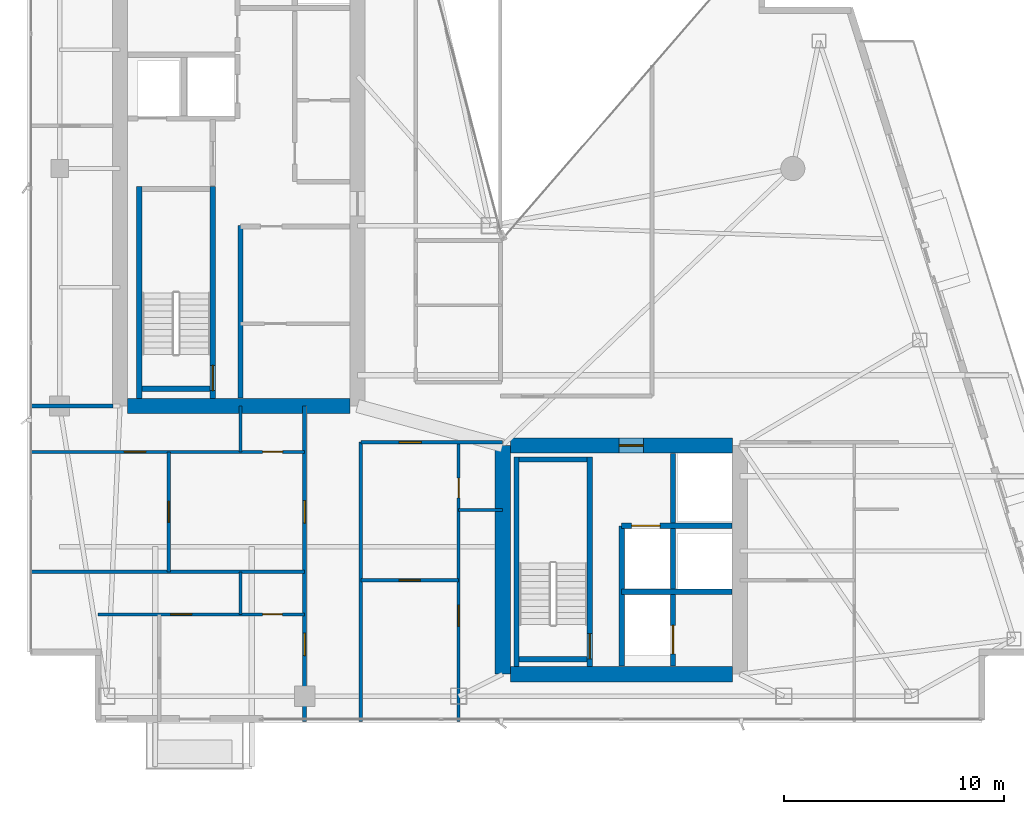
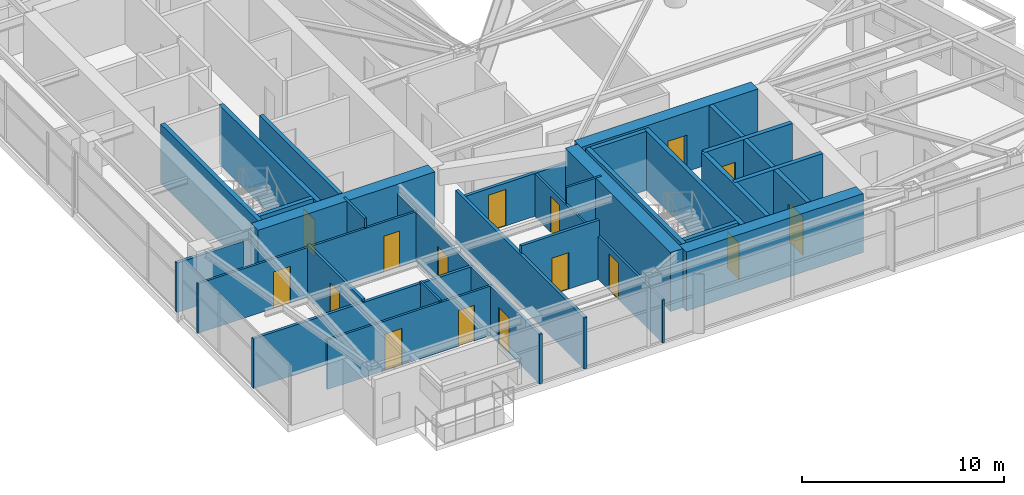
# One storey, part 23 of 28: 29 walls, 16 doors, 16 openings.
"""IFC4 building model written with IfcOpenShell, lengths in metres."""

from ifc_helpers import new_model, si_unit, direction, frame, frame_2d, origin, place, context, subcontext, project, spatial, rectangle, extrude, material, layer, layer_set, type_object, element, fill, save


model = new_model("IFC4")

# Units and contexts
model_context = context("Model", 3, precision=1e-05, world=origin(), true_north=direction((0.0, 1.0)))
body_context = subcontext(model_context, "Body", "Model", "MODEL_VIEW")
ifc_project = project(units=[si_unit("LENGTHUNIT", "METRE"), si_unit("AREAUNIT", "SQUARE_METRE"), si_unit("VOLUMEUNIT", "CUBIC_METRE"), si_unit("PLANEANGLEUNIT", "RADIAN"), si_unit("MASSUNIT", "GRAM", prefix="KILO")], contexts=[model_context])

# Site, building, storey
site_placement = place(None, origin())
site = spatial("IfcSite", under=ifc_project, at=site_placement, CompositionType="ELEMENT")
building_placement = place(site_placement, origin())
building = spatial("IfcBuilding", under=site, at=building_placement, Name="Calvorn Quay Hotel", CompositionType="ELEMENT")
storey_placement = place(building_placement, frame((0.0, 0.0, 243.800048828125)))
storey = spatial("IfcBuildingStorey", under=building, at=storey_placement, Name="L60", CompositionType="ELEMENT", Elevation=243.800048828125)

# Walls
ifc_material_1 = material(Name="Concrete C45", Category="concrete")
ifc_layer_1 = layer(ifc_material_1, 0.699951171875)
ifc_layer_set_1 = layer_set([ifc_layer_1], Name="WL-CORE-700")
wall_type_1 = type_object("IfcWallType", Name="WL-CORE-700", PredefinedType="SHEAR", material=ifc_layer_set_1)
wall_1_placement = place(storey_placement, frame((4.550048828125, 16.800048828125, 0.0), z_axis=(0.0, 0.0, 1.0), x_axis=(1.0, 0.0, 0.0)))
element("IfcWall", 1, at=wall_1_placement, inside=storey, type_object=wall_type_1, Name="West Core Shear Wall S (L60)", PredefinedType="SHEAR", context=body_context, shape_type="SweptSolid", body=[
    extrude(rectangle(XDim=10.099853515625, YDim=0.699951171875, at=frame_2d((5.0498046875, 0.0))), origin(), (0.0, 0.0, 1.0), 3.56005859375),
])
wall_2_placement = place(storey_placement, frame((21.60009765625, 4.60009765625, 0.0), z_axis=(0.0, 0.0, 1.0), x_axis=(0.0, 1.0, 0.0)))
element("IfcWall", 2, at=wall_2_placement, inside=storey, type_object=wall_type_1, Name="East Core Shear Wall W (L60)", PredefinedType="SHEAR", context=body_context, shape_type="SweptSolid", body=[
    extrude(rectangle(XDim=10.39990234375, YDim=0.699951171875, at=frame_2d((5.199951171875, 0.0))), origin(), (0.0, 0.0, 1.0), 3.56005859375),
])

# Wall, opening, door
wall_3_placement = place(storey_placement, frame((21.949951171875, 15.0, 0.0), z_axis=(0.0, 0.0, 1.0), x_axis=(1.0, 0.0, 0.0)))
wall_3 = element("IfcWall", 3, at=wall_3_placement, inside=storey, type_object=wall_type_1, Name="East Core Shear Wall N (L60)", PredefinedType="SHEAR", context=body_context, shape_type="SweptSolid", body=[
    extrude(rectangle(XDim=10.10009765625, YDim=0.699951171875, at=frame_2d((5.050048828125, 0.0))), origin(), (0.0, 0.0, 1.0), 3.56005859375),
])
opening_1_placement = place(wall_3_placement, frame((4.949951171875, 0.0, 0.0)))
opening_1 = element("IfcOpeningElement", 4, at=opening_1_placement, cuts=wall_3, Name="Opening D-L60-FLE", PredefinedType="OPENING", context=body_context, shape_type="SweptSolid", body=[
    extrude(rectangle(XDim=1.10009765625, YDim=2.199951171875, at=frame_2d((0.550048828125, 1.10009765625))), frame((0.0, 0.35986328125, 0.0), z_axis=(0.0, -1.0, 0.0), x_axis=(1.0, 0.0, 0.0)), (0.0, 0.0, 1.0), 0.719970703125),
])
ifc_material_2 = material(Name="Smoke-Sealed Steel Class A Fire Door", Category="steel")
door_type_1 = type_object("IfcDoorType", Name="DR-FFLOBBY-1100", OperationType="NOTDEFINED", PredefinedType="DOOR", material=ifc_material_2)
door_1_placement = place(opening_1_placement, origin())
door_1 = element("IfcDoor", 5, at=door_1_placement, inside=storey, type_object=door_type_1, Name="East Firefighting Lobby Fire Door (L60)", OperationType="SINGLE_SWING_RIGHT", OverallHeight=2.199951171875, OverallWidth=1.10009765625, PredefinedType="DOOR", context=body_context, shape_type="SweptSolid", body=[
    extrude(rectangle(XDim=1.10009765625, YDim=2.199951171875, at=frame_2d((0.550048828125, 1.10009765625))), frame((0.0, 0.02490234375, 0.0), z_axis=(0.0, -1.0, 0.0), x_axis=(1.0, 0.0, 0.0)), (0.0, 0.0, 1.0), 0.050048828125),
])
fill(opening_1, door_1)

# Walls
wall_4_placement = place(storey_placement, frame((21.949951171875, 4.60009765625, 0.0), z_axis=(0.0, 0.0, 1.0), x_axis=(1.0, 0.0, 0.0)))
element("IfcWall", 6, at=wall_4_placement, inside=storey, type_object=wall_type_1, Name="East Core Shear Wall S (L60)", PredefinedType="SHEAR", context=body_context, shape_type="SweptSolid", body=[
    extrude(rectangle(XDim=10.10009765625, YDim=0.699951171875, at=frame_2d((5.050048828125, 0.0))), origin(), (0.0, 0.0, 1.0), 3.56005859375),
])
ifc_material_3 = material(Name="Acoustic Fireboard Steel-Stud Partition", Category="steel")
ifc_layer_2 = layer(ifc_material_3, 0.179931640625)
ifc_layer_set_2 = layer_set([ifc_layer_2], Name="WL-CORR-FIRE-180")
wall_type_2 = type_object("IfcWallType", Name="WL-CORR-FIRE-180", PredefinedType="PARTITIONING", material=ifc_layer_set_2)
wall_5_placement = place(storey_placement, frame((0.080078125, 16.800048828125, 0.0), z_axis=(0.0, 0.0, 1.0), x_axis=(1.0, 0.0, 0.0)))
element("IfcWall", 7, at=wall_5_placement, inside=storey, type_object=wall_type_2, Name="Partition Wall L60-WL-WBAY-S-WALL", PredefinedType="PARTITIONING", context=body_context, shape_type="SweptSolid", body=[
    extrude(rectangle(XDim=3.7998046875, YDim=0.179931640625, at=frame_2d((1.89990234375, 0.0))), origin(), (0.0, 0.0, 1.0), 2.989990234375),
])

# Wall, openings, doors
wall_6_placement = place(storey_placement, frame((12.60009765625, 2.43994140625, 0.0), z_axis=(0.0, 0.0, 1.0), x_axis=(0.0, 1.0, 0.0)))
wall_6 = element("IfcWall", 8, at=wall_6_placement, inside=storey, type_object=wall_type_2, Name="Partition Wall L60-WL-CORR-SW-LEG-W", PredefinedType="PARTITIONING", context=body_context, shape_type="SweptSolid", body=[
    extrude(rectangle(XDim=14.360107421875, YDim=0.179931640625, at=frame_2d((7.18017578125, 0.0))), origin(), (0.0, 0.0, 1.0), 2.989990234375),
])
opening_2_placement = place(wall_6_placement, frame((3.010009765625, 0.0, 0.0)))
opening_2 = element("IfcOpeningElement", 9, at=opening_2_placement, cuts=wall_6, Name="Opening D-L60-U01", PredefinedType="OPENING", context=body_context, shape_type="SweptSolid", body=[
    extrude(rectangle(XDim=1.02001953125, YDim=2.199951171875, at=frame_2d((0.510009765625, 1.10009765625))), frame((0.0, 0.099853515625, 0.0), z_axis=(0.0, -1.0, 0.0), x_axis=(1.0, 0.0, 0.0)), (0.0, 0.0, 1.0), 0.199951171875),
])
opening_3_placement = place(wall_6_placement, frame((9.030029296875, 0.0, 0.0)))
opening_3 = element("IfcOpeningElement", 10, at=opening_3_placement, cuts=wall_6, Name="Opening D-L60-U02", PredefinedType="OPENING", context=body_context, shape_type="SweptSolid", body=[
    extrude(rectangle(XDim=1.02001953125, YDim=2.199951171875, at=frame_2d((0.510009765625, 1.10009765625))), frame((0.0, 0.099853515625, 0.0), z_axis=(0.0, -1.0, 0.0), x_axis=(1.0, 0.0, 0.0)), (0.0, 0.0, 1.0), 0.199951171875),
])
ifc_material_4 = material(Name="Solid-Core Walnut Veneer Hotel Fire Door")
door_type_2 = type_object("IfcDoorType", Name="DR-GUEST-ENTRY-1020", OperationType="NOTDEFINED", PredefinedType="DOOR", material=ifc_material_4)
door_2_placement = place(opening_2_placement, origin())
door_2 = element("IfcDoor", 11, at=door_2_placement, inside=storey, type_object=door_type_2, Name="South-West Unit Door U01 (L60)", OperationType="SINGLE_SWING_LEFT", OverallHeight=2.199951171875, OverallWidth=1.02001953125, PredefinedType="DOOR", context=body_context, shape_type="SweptSolid", body=[
    extrude(rectangle(XDim=1.02001953125, YDim=2.199951171875, at=frame_2d((0.510009765625, 1.10009765625))), frame((0.0, 0.02490234375, 0.0), z_axis=(0.0, -1.0, 0.0), x_axis=(1.0, 0.0, 0.0)), (0.0, 0.0, 1.0), 0.050048828125),
])
fill(opening_2, door_2)
door_3_placement = place(opening_3_placement, origin())
door_3 = element("IfcDoor", 12, at=door_3_placement, inside=storey, type_object=door_type_2, Name="South-West Unit Door U02 (L60)", OperationType="SINGLE_SWING_RIGHT", OverallHeight=2.199951171875, OverallWidth=1.02001953125, PredefinedType="DOOR", context=body_context, shape_type="SweptSolid", body=[
    extrude(rectangle(XDim=1.02001953125, YDim=2.199951171875, at=frame_2d((0.510009765625, 1.10009765625))), frame((0.0, 0.02490234375, 0.0), z_axis=(0.0, -1.0, 0.0), x_axis=(1.0, 0.0, 0.0)), (0.0, 0.0, 1.0), 0.050048828125),
])
fill(opening_3, door_3)

# Wall
wall_7_placement = place(storey_placement, frame((15.14990234375, 2.43994140625, 0.0), z_axis=(0.0, 0.0, 1.0), x_axis=(0.0, 1.0, 0.0)))
element("IfcWall", 13, at=wall_7_placement, inside=storey, type_object=wall_type_2, Name="Partition Wall L60-WL-CORR-SW-W", PredefinedType="PARTITIONING", context=body_context, shape_type="SweptSolid", body=[
    extrude(rectangle(XDim=12.7099609375, YDim=0.179931640625, at=frame_2d((6.35498046875, 0.0))), origin(), (0.0, 0.0, 1.0), 3.08984375),
])

# Wall, opening, door
wall_8_placement = place(storey_placement, frame((15.14990234375, 15.14990234375, 0.0), z_axis=(0.0, 0.0, 1.0), x_axis=(1.0, 0.0, 0.0)))
wall_8 = element("IfcWall", 14, at=wall_8_placement, inside=storey, type_object=wall_type_2, Name="Partition Wall L60-WL-SC-CORR-S", PredefinedType="PARTITIONING", context=body_context, shape_type="SweptSolid", body=[
    extrude(rectangle(XDim=6.4501953125, YDim=0.179931640625, at=frame_2d((3.22509765625, 0.0))), origin(), (0.0, 0.0, 1.0), 2.58984375),
])
opening_4_placement = place(wall_8_placement, frame((1.739990234375, 0.0, 0.0)))
opening_4 = element("IfcOpeningElement", 15, at=opening_4_placement, cuts=wall_8, Name="Opening D-L60-U03", PredefinedType="OPENING", context=body_context, shape_type="SweptSolid", body=[
    extrude(rectangle(XDim=1.02001953125, YDim=2.199951171875, at=frame_2d((0.510009765625, 1.10009765625))), frame((0.0, 0.099853515625, 0.0), z_axis=(0.0, -1.0, 0.0), x_axis=(1.0, 0.0, 0.0)), (0.0, 0.0, 1.0), 0.199951171875),
])
door_4_placement = place(opening_4_placement, origin())
door_4 = element("IfcDoor", 16, at=door_4_placement, inside=storey, type_object=door_type_2, Name="Harbour Central Unit Door (L60)", OperationType="SINGLE_SWING_LEFT", OverallHeight=2.199951171875, OverallWidth=1.02001953125, PredefinedType="DOOR", context=body_context, shape_type="SweptSolid", body=[
    extrude(rectangle(XDim=1.02001953125, YDim=2.199951171875, at=frame_2d((0.510009765625, 1.10009765625))), frame((0.0, 0.02490234375, 0.0), z_axis=(0.0, -1.0, 0.0), x_axis=(1.0, 0.0, 0.0)), (0.0, 0.0, 1.0), 0.050048828125),
])
fill(opening_4, door_4)

# Wall
ifc_material_5 = material(Name="Moisture-Resistant Tile-Backed Partition")
ifc_layer_3 = layer(ifc_material_5, 0.125)
ifc_layer_set_3 = layer_set([ifc_layer_3], Name="WL-ENSUITE-125")
wall_type_3 = type_object("IfcWallType", Name="WL-ENSUITE-125", PredefinedType="PARTITIONING", material=ifc_layer_set_3)
wall_9_placement = place(storey_placement, frame((9.679931640625, 7.320068359375, 0.0), z_axis=(0.0, 0.0, 1.0), x_axis=(0.0, 1.0, 0.0)))
element("IfcWall", 17, at=wall_9_placement, inside=storey, type_object=wall_type_3, Name="Partition Wall L60-WL-U01-BDV", PredefinedType="PARTITIONING", context=body_context, shape_type="SweptSolid", body=[
    extrude(rectangle(XDim=1.929931640625, YDim=0.125, at=frame_2d((0.96484375, 0.0))), origin(), (0.0, 0.0, 1.0), 3.08984375),
])

# Wall, openings, doors
wall_10_placement = place(storey_placement, frame((3.199951171875, 7.320068359375, 0.0), z_axis=(0.0, 0.0, 1.0), x_axis=(1.0, 0.0, 0.0)))
wall_10 = element("IfcWall", 18, at=wall_10_placement, inside=storey, type_object=wall_type_3, Name="Partition Wall L60-WL-U01-BH", PredefinedType="PARTITIONING", context=body_context, shape_type="SweptSolid", body=[
    extrude(rectangle(XDim=9.400146484375, YDim=0.125, at=frame_2d((4.7001953125, 0.0))), origin(), (0.0, 0.0, 1.0), 2.989990234375),
])
opening_5_placement = place(wall_10_placement, frame((3.300048828125, 0.0, 0.0)))
opening_5 = element("IfcOpeningElement", 19, at=opening_5_placement, cuts=wall_10, Name="Opening D-L60-S01", PredefinedType="OPENING", context=body_context, shape_type="SweptSolid", body=[
    extrude(rectangle(XDim=0.9599609375, YDim=2.199951171875, at=frame_2d((0.47998046875, 1.10009765625))), frame((0.0, 0.072509765625, 0.0), z_axis=(0.0, -1.0, 0.0), x_axis=(1.0, 0.0, 0.0)), (0.0, 0.0, 1.0), 0.14501953125),
])
opening_6_placement = place(wall_10_placement, frame((7.489990234375, 0.0, 0.0)))
opening_6 = element("IfcOpeningElement", 20, at=opening_6_placement, cuts=wall_10, Name="Opening D-L60-E01", PredefinedType="OPENING", context=body_context, shape_type="SweptSolid", body=[
    extrude(rectangle(XDim=0.89990234375, YDim=2.14990234375, at=frame_2d((0.449951171875, 1.074951171875))), frame((0.0, 0.072509765625, 0.0), z_axis=(0.0, -1.0, 0.0), x_axis=(1.0, 0.0, 0.0)), (0.0, 0.0, 1.0), 0.14501953125),
])
ifc_material_6 = material(Name="Moisture-Sealed Timber En-Suite Door", Category="wood")
door_type_3 = type_object("IfcDoorType", Name="DR-ENSUITE-900", OperationType="NOTDEFINED", PredefinedType="DOOR", material=ifc_material_6)
door_5_placement = place(opening_6_placement, origin())
door_5 = element("IfcDoor", 21, at=door_5_placement, inside=storey, type_object=door_type_3, Name="En-Suite Door 01", OperationType="SINGLE_SWING_RIGHT", OverallHeight=2.14990234375, OverallWidth=0.89990234375, PredefinedType="DOOR", context=body_context, shape_type="SweptSolid", body=[
    extrude(rectangle(XDim=0.89990234375, YDim=2.14990234375, at=frame_2d((0.449951171875, 1.074951171875))), frame((0.0, 0.02490234375, 0.0), z_axis=(0.0, -1.0, 0.0), x_axis=(1.0, 0.0, 0.0)), (0.0, 0.0, 1.0), 0.050048828125),
])
fill(opening_6, door_5)
ifc_material_7 = material(Name="Solid Timber Internal Suite Door", Category="wood")
door_type_4 = type_object("IfcDoorType", Name="DR-SUITE-INT-960", OperationType="NOTDEFINED", PredefinedType="DOOR", material=ifc_material_7)
door_6_placement = place(opening_5_placement, origin())
door_6 = element("IfcDoor", 22, at=door_6_placement, inside=storey, type_object=door_type_4, Name="Private Media Cinema Door 01", OperationType="SINGLE_SWING_LEFT", OverallHeight=2.199951171875, OverallWidth=0.9599609375, PredefinedType="DOOR", context=body_context, shape_type="SweptSolid", body=[
    extrude(rectangle(XDim=0.9599609375, YDim=2.199951171875, at=frame_2d((0.47998046875, 1.10009765625))), frame((0.0, 0.02490234375, 0.0), z_axis=(0.0, -1.0, 0.0), x_axis=(1.0, 0.0, 0.0)), (0.0, 0.0, 1.0), 0.050048828125),
])
fill(opening_5, door_6)

# Wall
wall_11_placement = place(storey_placement, frame((9.679931640625, 14.7099609375, 0.0), z_axis=(0.0, 0.0, 1.0), x_axis=(0.0, 1.0, 0.0)))
element("IfcWall", 23, at=wall_11_placement, inside=storey, type_object=wall_type_3, Name="Partition Wall L60-WL-U02-BDV", PredefinedType="PARTITIONING", context=body_context, shape_type="SweptSolid", body=[
    extrude(rectangle(XDim=2.090087890625, YDim=0.125, at=frame_2d((1.044921875, 0.0))), origin(), (0.0, 0.0, 1.0), 3.56005859375),
])

# Wall, openings, doors
wall_12_placement = place(storey_placement, frame((0.080078125, 14.7099609375, 0.0), z_axis=(0.0, 0.0, 1.0), x_axis=(1.0, 0.0, 0.0)))
wall_12 = element("IfcWall", 24, at=wall_12_placement, inside=storey, type_object=wall_type_3, Name="Partition Wall L60-WL-U02-BH", PredefinedType="PARTITIONING", context=body_context, shape_type="SweptSolid", body=[
    extrude(rectangle(XDim=12.52001953125, YDim=0.125, at=frame_2d((6.260009765625, 0.0))), origin(), (0.0, 0.0, 1.0), 2.989990234375),
])
opening_7_placement = place(wall_12_placement, frame((4.320068359375, 0.0, 0.0)))
opening_7 = element("IfcOpeningElement", 25, at=opening_7_placement, cuts=wall_12, Name="Opening D-L60-S02", PredefinedType="OPENING", context=body_context, shape_type="SweptSolid", body=[
    extrude(rectangle(XDim=0.9599609375, YDim=2.199951171875, at=frame_2d((0.47998046875, 1.10009765625))), frame((0.0, 0.072509765625, 0.0), z_axis=(0.0, -1.0, 0.0), x_axis=(1.0, 0.0, 0.0)), (0.0, 0.0, 1.0), 0.14501953125),
])
opening_8_placement = place(wall_12_placement, frame((10.610107421875, 0.0, 0.0)))
opening_8 = element("IfcOpeningElement", 26, at=opening_8_placement, cuts=wall_12, Name="Opening D-L60-E02", PredefinedType="OPENING", context=body_context, shape_type="SweptSolid", body=[
    extrude(rectangle(XDim=0.89990234375, YDim=2.14990234375, at=frame_2d((0.449951171875, 1.074951171875))), frame((0.0, 0.072509765625, 0.0), z_axis=(0.0, -1.0, 0.0), x_axis=(1.0, 0.0, 0.0)), (0.0, 0.0, 1.0), 0.14501953125),
])
door_7_placement = place(opening_8_placement, origin())
door_7 = element("IfcDoor", 27, at=door_7_placement, inside=storey, type_object=door_type_3, Name="En-Suite Door 02", OperationType="SINGLE_SWING_RIGHT", OverallHeight=2.14990234375, OverallWidth=0.89990234375, PredefinedType="DOOR", context=body_context, shape_type="SweptSolid", body=[
    extrude(rectangle(XDim=0.89990234375, YDim=2.14990234375, at=frame_2d((0.449951171875, 1.074951171875))), frame((0.0, 0.02490234375, 0.0), z_axis=(0.0, -1.0, 0.0), x_axis=(1.0, 0.0, 0.0)), (0.0, 0.0, 1.0), 0.050048828125),
])
fill(opening_8, door_7)
door_8_placement = place(opening_7_placement, origin())
door_8 = element("IfcDoor", 28, at=door_8_placement, inside=storey, type_object=door_type_4, Name="Private Media Cinema Door 02", OperationType="SINGLE_SWING_LEFT", OverallHeight=2.199951171875, OverallWidth=0.9599609375, PredefinedType="DOOR", context=body_context, shape_type="SweptSolid", body=[
    extrude(rectangle(XDim=0.9599609375, YDim=2.199951171875, at=frame_2d((0.47998046875, 1.10009765625))), frame((0.0, 0.02490234375, 0.0), z_axis=(0.0, -1.0, 0.0), x_axis=(1.0, 0.0, 0.0)), (0.0, 0.0, 1.0), 0.050048828125),
])
fill(opening_7, door_8)

# Wall
wall_13_placement = place(storey_placement, frame((19.60009765625, 12.070068359375, 0.0), z_axis=(0.0, 0.0, 1.0), x_axis=(1.0, 0.0, 0.0)))
element("IfcWall", 29, at=wall_13_placement, inside=storey, type_object=wall_type_3, Name="Partition Wall L60-WL-U03-BDV", PredefinedType="PARTITIONING", context=body_context, shape_type="SweptSolid", body=[
    extrude(rectangle(XDim=2.0, YDim=0.125, at=frame_2d((1.0, 0.0))), origin(), (0.0, 0.0, 1.0), 3.56005859375),
])

# Wall, openings, doors
wall_14_placement = place(storey_placement, frame((19.60009765625, 2.43994140625, 0.0), z_axis=(0.0, 0.0, 1.0), x_axis=(0.0, 1.0, 0.0)))
wall_14 = element("IfcWall", 30, at=wall_14_placement, inside=storey, type_object=wall_type_3, Name="Partition Wall L60-WL-U03-BV", PredefinedType="PARTITIONING", context=body_context, shape_type="SweptSolid", body=[
    extrude(rectangle(XDim=12.7099609375, YDim=0.125, at=frame_2d((6.35498046875, 0.0))), origin(), (0.0, 0.0, 1.0), 2.58984375),
])
opening_9_placement = place(wall_14_placement, frame((4.340087890625, 0.0, 0.0)))
opening_9 = element("IfcOpeningElement", 31, at=opening_9_placement, cuts=wall_14, Name="Opening D-L60-S03", PredefinedType="OPENING", context=body_context, shape_type="SweptSolid", body=[
    extrude(rectangle(XDim=0.9599609375, YDim=2.199951171875, at=frame_2d((0.47998046875, 1.10009765625))), frame((0.0, 0.072509765625, 0.0), z_axis=(0.0, -1.0, 0.0), x_axis=(1.0, 0.0, 0.0)), (0.0, 0.0, 1.0), 0.14501953125),
])
opening_10_placement = place(wall_14_placement, frame((10.179931640625, 0.0, 0.0)))
opening_10 = element("IfcOpeningElement", 32, at=opening_10_placement, cuts=wall_14, Name="Opening D-L60-E03", PredefinedType="OPENING", context=body_context, shape_type="SweptSolid", body=[
    extrude(rectangle(XDim=0.89990234375, YDim=2.14990234375, at=frame_2d((0.449951171875, 1.074951171875))), frame((0.0, 0.072509765625, 0.0), z_axis=(0.0, -1.0, 0.0), x_axis=(1.0, 0.0, 0.0)), (0.0, 0.0, 1.0), 0.14501953125),
])
door_9_placement = place(opening_10_placement, origin())
door_9 = element("IfcDoor", 33, at=door_9_placement, inside=storey, type_object=door_type_3, Name="En-Suite Door 03", OperationType="SINGLE_SWING_RIGHT", OverallHeight=2.14990234375, OverallWidth=0.89990234375, PredefinedType="DOOR", context=body_context, shape_type="SweptSolid", body=[
    extrude(rectangle(XDim=0.89990234375, YDim=2.14990234375, at=frame_2d((0.449951171875, 1.074951171875))), frame((0.0, 0.02490234375, 0.0), z_axis=(0.0, -1.0, 0.0), x_axis=(1.0, 0.0, 0.0)), (0.0, 0.0, 1.0), 0.050048828125),
])
fill(opening_10, door_9)
door_10_placement = place(opening_9_placement, origin())
door_10 = element("IfcDoor", 34, at=door_10_placement, inside=storey, type_object=door_type_4, Name="Private Media Cinema Door 03", OperationType="SINGLE_SWING_LEFT", OverallHeight=2.199951171875, OverallWidth=0.9599609375, PredefinedType="DOOR", context=body_context, shape_type="SweptSolid", body=[
    extrude(rectangle(XDim=0.9599609375, YDim=2.199951171875, at=frame_2d((0.47998046875, 1.10009765625))), frame((0.0, 0.02490234375, 0.0), z_axis=(0.0, -1.0, 0.0), x_axis=(1.0, 0.0, 0.0)), (0.0, 0.0, 1.0), 0.050048828125),
])
fill(opening_9, door_10)

# Wall, opening, door
ifc_material_8 = material(Name="Double-Stud Acoustic Gypsum Partition")
ifc_layer_4 = layer(ifc_material_8, 0.159912109375)
ifc_layer_set_4 = layer_set([ifc_layer_4], Name="WL-INTERSUITE-160")
wall_type_4 = type_object("IfcWallType", Name="WL-INTERSUITE-160", PredefinedType="PARTITIONING", material=ifc_layer_set_4)
wall_15_placement = place(storey_placement, frame((6.419921875, 9.25, 0.0), z_axis=(0.0, 0.0, 1.0), x_axis=(0.0, 1.0, 0.0)))
wall_15 = element("IfcWall", 35, at=wall_15_placement, inside=storey, type_object=wall_type_4, Name="Partition Wall L60-WL-U02-MSP", PredefinedType="PARTITIONING", context=body_context, shape_type="SweptSolid", body=[
    extrude(rectangle(XDim=5.4599609375, YDim=0.159912109375, at=frame_2d((2.72998046875, 0.0))), origin(), (0.0, 0.0, 1.0), 3.139892578125),
])
opening_11_placement = place(wall_15_placement, frame((2.25, 0.0, 0.0)))
opening_11 = element("IfcOpeningElement", 36, at=opening_11_placement, cuts=wall_15, Name="Opening D-L60-M02", PredefinedType="OPENING", context=body_context, shape_type="SweptSolid", body=[
    extrude(rectangle(XDim=0.9599609375, YDim=2.199951171875, at=frame_2d((0.47998046875, 1.10009765625))), frame((0.0, 0.08984375, 0.0), z_axis=(0.0, -1.0, 0.0), x_axis=(1.0, 0.0, 0.0)), (0.0, 0.0, 1.0), 0.179931640625),
])
door_11_placement = place(opening_11_placement, origin())
door_11 = element("IfcDoor", 37, at=door_11_placement, inside=storey, type_object=door_type_4, Name="Suite Bedroom Door 02", OperationType="SINGLE_SWING_LEFT", OverallHeight=2.199951171875, OverallWidth=0.9599609375, PredefinedType="DOOR", context=body_context, shape_type="SweptSolid", body=[
    extrude(rectangle(XDim=0.9599609375, YDim=2.199951171875, at=frame_2d((0.47998046875, 1.10009765625))), frame((0.0, 0.02490234375, 0.0), z_axis=(0.0, -1.0, 0.0), x_axis=(1.0, 0.0, 0.0)), (0.0, 0.0, 1.0), 0.050048828125),
])
fill(opening_11, door_11)

# Wall
wall_16_placement = place(storey_placement, frame((0.080078125, 9.25, 0.0), z_axis=(0.0, 0.0, 1.0), x_axis=(1.0, 0.0, 0.0)))
element("IfcWall", 38, at=wall_16_placement, inside=storey, type_object=wall_type_4, Name="Partition Wall L60-WL-SW-DIV-1", PredefinedType="PARTITIONING", context=body_context, shape_type="SweptSolid", body=[
    extrude(rectangle(XDim=12.52001953125, YDim=0.159912109375, at=frame_2d((6.260009765625, 0.0))), origin(), (0.0, 0.0, 1.0), 2.989990234375),
])

# Wall, opening, door
wall_17_placement = place(storey_placement, frame((15.14990234375, 8.8701171875, 0.0), z_axis=(0.0, 0.0, 1.0), x_axis=(1.0, 0.0, 0.0)))
wall_17 = element("IfcWall", 39, at=wall_17_placement, inside=storey, type_object=wall_type_4, Name="Partition Wall L60-WL-U03-MSP", PredefinedType="PARTITIONING", context=body_context, shape_type="SweptSolid", body=[
    extrude(rectangle(XDim=4.4501953125, YDim=0.159912109375, at=frame_2d((2.22509765625, 0.0))), origin(), (0.0, 0.0, 1.0), 3.56005859375),
])
opening_12_placement = place(wall_17_placement, frame((1.75, 0.0, 0.0)))
opening_12 = element("IfcOpeningElement", 40, at=opening_12_placement, cuts=wall_17, Name="Opening D-L60-M03", PredefinedType="OPENING", context=body_context, shape_type="SweptSolid", body=[
    extrude(rectangle(XDim=0.9599609375, YDim=2.199951171875, at=frame_2d((0.47998046875, 1.10009765625))), frame((0.0, 0.08984375, 0.0), z_axis=(0.0, -1.0, 0.0), x_axis=(1.0, 0.0, 0.0)), (0.0, 0.0, 1.0), 0.179931640625),
])
door_12_placement = place(opening_12_placement, origin())
door_12 = element("IfcDoor", 41, at=door_12_placement, inside=storey, type_object=door_type_4, Name="Suite Bedroom Door 03", OperationType="SINGLE_SWING_LEFT", OverallHeight=2.199951171875, OverallWidth=0.9599609375, PredefinedType="DOOR", context=body_context, shape_type="SweptSolid", body=[
    extrude(rectangle(XDim=0.9599609375, YDim=2.199951171875, at=frame_2d((0.47998046875, 1.10009765625))), frame((0.0, 0.02490234375, 0.0), z_axis=(0.0, -1.0, 0.0), x_axis=(1.0, 0.0, 0.0)), (0.0, 0.0, 1.0), 0.050048828125),
])
fill(opening_12, door_12)

# Walls
ifc_material_9 = material(Name="Autoclaved Aerated Masonry Block", Category="masonry")
ifc_layer_5 = layer(ifc_material_9, 0.219970703125)
ifc_layer_set_5 = layer_set([ifc_layer_5], Name="WL-LOBBY-FIRE-220")
wall_type_5 = type_object("IfcWallType", Name="WL-LOBBY-FIRE-220", PredefinedType="SOLIDWALL", material=ifc_layer_set_5)
wall_18_placement = place(storey_placement, frame((9.679931640625, 17.169921875, 0.0), z_axis=(0.0, 0.0, 1.0), x_axis=(0.0, 1.0, 0.0)))
element("IfcWall", 42, at=wall_18_placement, inside=storey, type_object=wall_type_5, Name="Partition Wall L60-WL-CWW-STW-HALL-E", PredefinedType="SOLIDWALL", context=body_context, shape_type="SweptSolid", body=[
    extrude(rectangle(XDim=7.830078125, YDim=0.219970703125, at=frame_2d((3.9150390625, 0.0))), origin(), (0.0, 0.0, 1.0), 3.56005859375),
])
ifc_material_10 = material(Name="Concrete C40", Category="concrete")
ifc_layer_6 = layer(ifc_material_10, 0.239990234375)
ifc_layer_set_6 = layer_set([ifc_layer_6], Name="WL-SHAFT-240")
wall_type_6 = type_object("IfcWallType", Name="WL-SHAFT-240", PredefinedType="SOLIDWALL", material=ifc_layer_set_6)
wall_19_placement = place(storey_placement, frame((5.080078125, 17.14990234375, 0.0), z_axis=(0.0, 0.0, 1.0), x_axis=(0.0, 1.0, 0.0)))
element("IfcWall", 43, at=wall_19_placement, inside=storey, type_object=wall_type_6, Name="Stair STW Shaft Wall W (L60)", PredefinedType="SOLIDWALL", context=body_context, shape_type="SweptSolid", body=[
    extrude(rectangle(XDim=9.64013671875, YDim=0.239990234375, at=frame_2d((4.820068359375, 0.0))), origin(), (0.0, 0.0, 1.0), 3.56005859375),
])

# Wall, opening, door
wall_20_placement = place(storey_placement, frame((8.419921875, 17.14990234375, 0.0), z_axis=(0.0, 0.0, 1.0), x_axis=(0.0, 1.0, 0.0)))
wall_20 = element("IfcWall", 44, at=wall_20_placement, inside=storey, type_object=wall_type_6, Name="Stair STW Shaft Wall E (L60)", PredefinedType="SOLIDWALL", context=body_context, shape_type="SweptSolid", body=[
    extrude(rectangle(XDim=9.64013671875, YDim=0.239990234375, at=frame_2d((4.820068359375, 0.0))), origin(), (0.0, 0.0, 1.0), 3.56005859375),
])
opening_13_placement = place(wall_20_placement, frame((0.35009765625, 0.0, 0.0)))
opening_13 = element("IfcOpeningElement", 45, at=opening_13_placement, cuts=wall_20, Name="Opening D-L60-STW", PredefinedType="OPENING", context=body_context, shape_type="SweptSolid", body=[
    extrude(rectangle(XDim=1.14990234375, YDim=2.199951171875, at=frame_2d((0.574951171875, 1.10009765625))), frame((0.0, 0.1298828125, 0.0), z_axis=(0.0, -1.0, 0.0), x_axis=(1.0, 0.0, 0.0)), (0.0, 0.0, 1.0), 0.260009765625),
])
ifc_material_11 = material(Name="Galvanised Steel Class A Fire Door", Category="steel")
door_type_5 = type_object("IfcDoorType", Name="DR-STAIR-SMOKE-1150", OperationType="NOTDEFINED", PredefinedType="DOOR", material=ifc_material_11)
door_13_placement = place(opening_13_placement, origin())
door_13 = element("IfcDoor", 46, at=door_13_placement, inside=storey, type_object=door_type_5, Name="Stair ST-W Fire Door (L60)", OperationType="SINGLE_SWING_LEFT", OverallHeight=2.199951171875, OverallWidth=1.14990234375, PredefinedType="DOOR", context=body_context, shape_type="SweptSolid", body=[
    extrude(rectangle(XDim=1.14990234375, YDim=2.199951171875, at=frame_2d((0.574951171875, 1.10009765625))), frame((0.0, 0.02490234375, 0.0), z_axis=(0.0, -1.0, 0.0), x_axis=(1.0, 0.0, 0.0)), (0.0, 0.0, 1.0), 0.050048828125),
])
fill(opening_13, door_13)

# Walls
wall_21_placement = place(storey_placement, frame((5.199951171875, 17.580078125, 0.0), z_axis=(0.0, 0.0, 1.0), x_axis=(1.0, 0.0, 0.0)))
element("IfcWall", 47, at=wall_21_placement, inside=storey, type_object=wall_type_6, Name="Stair STW Shaft Wall S (L60)", PredefinedType="SOLIDWALL", context=body_context, shape_type="SweptSolid", body=[
    extrude(rectangle(XDim=3.10009765625, YDim=0.239990234375, at=frame_2d((1.550048828125, 0.0))), origin(), (0.0, 0.0, 1.0), 3.56005859375),
])
wall_22_placement = place(storey_placement, frame((22.22998046875, 4.949951171875, 0.0), z_axis=(0.0, 0.0, 1.0), x_axis=(0.0, 1.0, 0.0)))
element("IfcWall", 48, at=wall_22_placement, inside=storey, type_object=wall_type_6, Name="Stair STE Shaft Wall W (L60)", PredefinedType="SOLIDWALL", context=body_context, shape_type="SweptSolid", body=[
    extrude(rectangle(XDim=9.5400390625, YDim=0.239990234375, at=frame_2d((4.77001953125, 0.0))), origin(), (0.0, 0.0, 1.0), 3.56005859375),
])

# Wall, opening, door
wall_23_placement = place(storey_placement, frame((25.570068359375, 4.949951171875, 0.0), z_axis=(0.0, 0.0, 1.0), x_axis=(0.0, 1.0, 0.0)))
wall_23 = element("IfcWall", 49, at=wall_23_placement, inside=storey, type_object=wall_type_6, Name="Stair STE Shaft Wall E (L60)", PredefinedType="SOLIDWALL", context=body_context, shape_type="SweptSolid", body=[
    extrude(rectangle(XDim=9.5400390625, YDim=0.239990234375, at=frame_2d((4.77001953125, 0.0))), origin(), (0.0, 0.0, 1.0), 3.56005859375),
])
opening_14_placement = place(wall_23_placement, frame((0.35009765625, 0.0, 0.0)))
opening_14 = element("IfcOpeningElement", 50, at=opening_14_placement, cuts=wall_23, Name="Opening D-L60-STE", PredefinedType="OPENING", context=body_context, shape_type="SweptSolid", body=[
    extrude(rectangle(XDim=1.14990234375, YDim=2.199951171875, at=frame_2d((0.574951171875, 1.10009765625))), frame((0.0, 0.1298828125, 0.0), z_axis=(0.0, -1.0, 0.0), x_axis=(1.0, 0.0, 0.0)), (0.0, 0.0, 1.0), 0.260009765625),
])
door_14_placement = place(opening_14_placement, origin())
door_14 = element("IfcDoor", 51, at=door_14_placement, inside=storey, type_object=door_type_5, Name="Stair ST-E Fire Door (L60)", OperationType="SINGLE_SWING_RIGHT", OverallHeight=2.199951171875, OverallWidth=1.14990234375, PredefinedType="DOOR", context=body_context, shape_type="SweptSolid", body=[
    extrude(rectangle(XDim=1.14990234375, YDim=2.199951171875, at=frame_2d((0.574951171875, 1.10009765625))), frame((0.0, 0.02490234375, 0.0), z_axis=(0.0, -1.0, 0.0), x_axis=(1.0, 0.0, 0.0)), (0.0, 0.0, 1.0), 0.050048828125),
])
fill(opening_14, door_14)

# Walls
for number, where, z_axis, x_axis, name in (
    (52, (22.35009765625, 5.280029296875, 0.0), (0.0, 0.0, 1.0), (1.0, 0.0, 0.0), "Stair STE Shaft Wall S (L60)"),
    (53, (22.35009765625, 14.3701171875, 0.0), (0.0, 0.0, 1.0), (1.0, 0.0, 0.0), "Stair STE Shaft Wall N (L60)"),
):
    element("IfcWall", number, at=place(storey_placement, frame(where, z_axis=z_axis, x_axis=x_axis)), inside=storey, type_object=wall_type_6, Name=name, PredefinedType="SOLIDWALL", context=body_context, shape_type="SweptSolid", body=[
        extrude(rectangle(XDim=3.099853515625, YDim=0.239990234375, at=frame_2d((1.5498046875, 0.0))), origin(), (0.0, 0.0, 1.0), 3.56005859375),
    ])
wall_24_placement = place(storey_placement, frame((27.02001953125, 4.969970703125, 0.0), z_axis=(0.0, 0.0, 1.0), x_axis=(0.0, 1.0, 0.0)))
element("IfcWall", 54, at=wall_24_placement, inside=storey, type_object=wall_type_6, Name="Partition Wall L60-WL-CWE-SH-W", PredefinedType="SOLIDWALL", context=body_context, shape_type="SweptSolid", body=[
    extrude(rectangle(XDim=6.380126953125, YDim=0.239990234375, at=frame_2d((3.18994140625, 0.0))), origin(), (0.0, 0.0, 1.0), 3.56005859375),
])

# Wall, opening, door
wall_25_placement = place(storey_placement, frame((27.02001953125, 11.35009765625, 0.0), z_axis=(0.0, 0.0, 1.0), x_axis=(1.0, 0.0, 0.0)))
wall_25 = element("IfcWall", 55, at=wall_25_placement, inside=storey, type_object=wall_type_6, Name="Partition Wall L60-WL-CWE-FFL-S", PredefinedType="SOLIDWALL", context=body_context, shape_type="SweptSolid", body=[
    extrude(rectangle(XDim=5.010009765625, YDim=0.239990234375, at=frame_2d((2.5048828125, 0.0))), origin(), (0.0, 0.0, 1.0), 3.56005859375),
])
opening_15_placement = place(wall_25_placement, frame((0.449951171875, 0.0, 0.0)))
opening_15 = element("IfcOpeningElement", 56, at=opening_15_placement, cuts=wall_25, Name="Opening LD-L60-FLE1", PredefinedType="OPENING", context=body_context, shape_type="SweptSolid", body=[
    extrude(rectangle(XDim=1.300048828125, YDim=2.35009765625, at=frame_2d((0.64990234375, 1.175048828125))), frame((0.0, 0.1298828125, 0.0), z_axis=(0.0, -1.0, 0.0), x_axis=(1.0, 0.0, 0.0)), (0.0, 0.0, 1.0), 0.260009765625),
])
ifc_material_12 = material(Name="Champagne-Bronze Sliding Express Lift Landing Door")
door_type_6 = type_object("IfcDoorType", Name="DR-LIFT-SHUTTLE-1300", OperationType="NOTDEFINED", PredefinedType="DOOR", material=ifc_material_12)
door_15_placement = place(opening_15_placement, origin())
door_15 = element("IfcDoor", 57, at=door_15_placement, inside=storey, type_object=door_type_6, Name="Firefighting Lift FL-E1 Landing Door (L60)", OperationType="DOUBLE_DOOR_SLIDING", OverallHeight=2.35009765625, OverallWidth=1.300048828125, PredefinedType="DOOR", context=body_context, shape_type="SweptSolid", body=[
    extrude(rectangle(XDim=1.300048828125, YDim=2.35009765625, at=frame_2d((0.64990234375, 1.175048828125))), frame((0.0, 0.02490234375, 0.0), z_axis=(0.0, -1.0, 0.0), x_axis=(1.0, 0.0, 0.0)), (0.0, 0.0, 1.0), 0.050048828125),
])
fill(opening_15, door_15)

# Wall
wall_26_placement = place(storey_placement, frame((27.02001953125, 8.35009765625, 0.0), z_axis=(0.0, 0.0, 1.0), x_axis=(1.0, 0.0, 0.0)))
element("IfcWall", 58, at=wall_26_placement, inside=storey, type_object=wall_type_6, Name="Partition Wall L60-WL-CWE-SL-N", PredefinedType="SOLIDWALL", context=body_context, shape_type="SweptSolid", body=[
    extrude(rectangle(XDim=5.010009765625, YDim=0.239990234375, at=frame_2d((2.5048828125, 0.0))), origin(), (0.0, 0.0, 1.0), 3.56005859375),
])

# Wall, opening, door
wall_27_placement = place(storey_placement, frame((29.35009765625, 4.969970703125, 0.0), z_axis=(0.0, 0.0, 1.0), x_axis=(0.0, 1.0, 0.0)))
wall_27 = element("IfcWall", 59, at=wall_27_placement, inside=storey, type_object=wall_type_6, Name="Partition Wall L60-WL-CWE-OB-W", PredefinedType="SOLIDWALL", context=body_context, shape_type="SweptSolid", body=[
    extrude(rectangle(XDim=9.659912109375, YDim=0.239990234375, at=frame_2d((4.830078125, 0.0))), origin(), (0.0, 0.0, 1.0), 3.56005859375),
])
opening_16_placement = place(wall_27_placement, frame((0.550048828125, 0.0, 0.0)))
opening_16 = element("IfcOpeningElement", 60, at=opening_16_placement, cuts=wall_27, Name="Opening LD-L60-SLEI", PredefinedType="OPENING", context=body_context, shape_type="SweptSolid", body=[
    extrude(rectangle(XDim=1.300048828125, YDim=2.35009765625, at=frame_2d((0.64990234375, 1.175048828125))), frame((0.0, 0.1298828125, 0.0), z_axis=(0.0, -1.0, 0.0), x_axis=(1.0, 0.0, 0.0)), (0.0, 0.0, 1.0), 0.260009765625),
])
door_16_placement = place(opening_16_placement, origin())
door_16 = element("IfcDoor", 61, at=door_16_placement, inside=storey, type_object=door_type_6, Name="Service Lift SL-E1 Landing Door (L60)", OperationType="DOUBLE_DOOR_SLIDING", OverallHeight=2.35009765625, OverallWidth=1.300048828125, PredefinedType="DOOR", context=body_context, shape_type="SweptSolid", body=[
    extrude(rectangle(XDim=1.300048828125, YDim=2.35009765625, at=frame_2d((0.64990234375, 1.175048828125))), frame((0.0, 0.02490234375, 0.0), z_axis=(0.0, -1.0, 0.0), x_axis=(1.0, 0.0, 0.0)), (0.0, 0.0, 1.0), 0.050048828125),
])
fill(opening_16, door_16)

save(model, "model.ifc")
